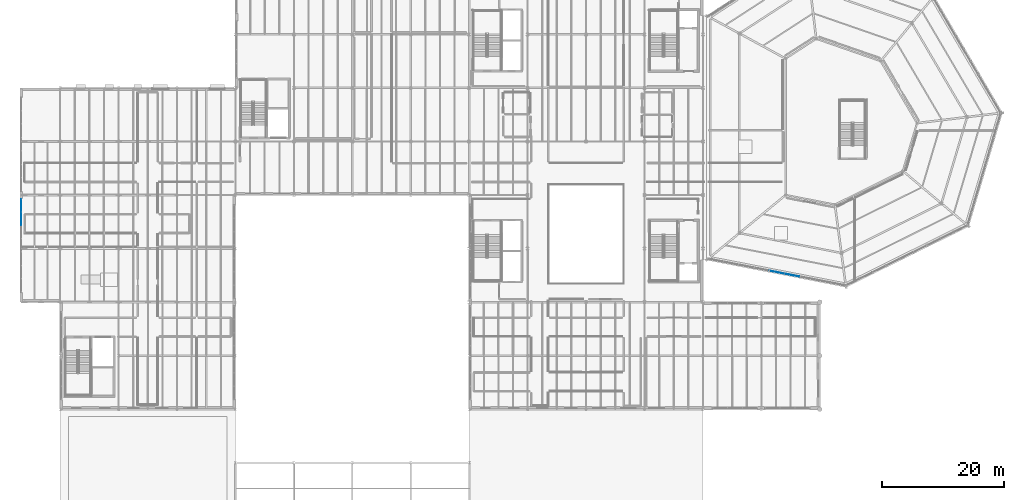
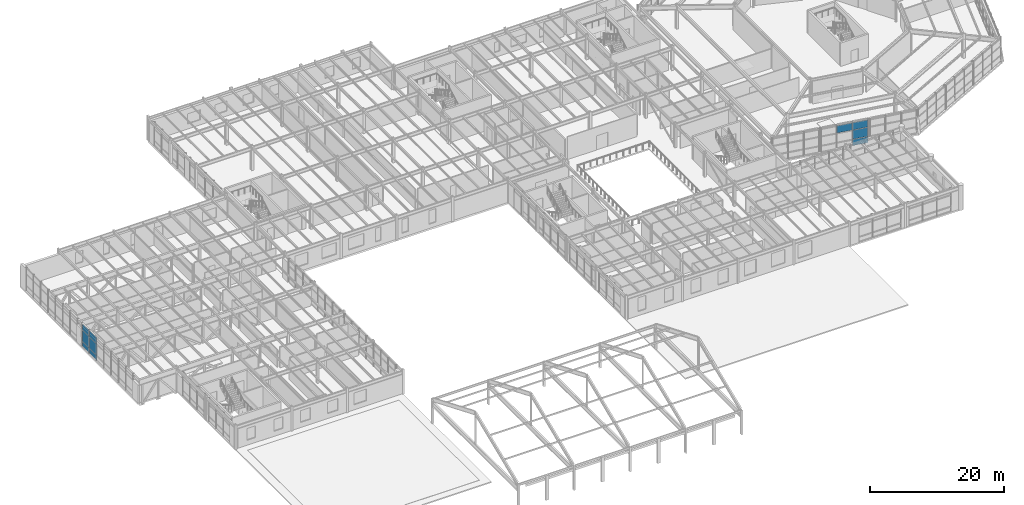
# One storey, part 52 of 88: 10 plates, 2 elements without a shape of their own.
"""IFC4 building model written with IfcOpenShell, lengths in metres."""

from ifc_helpers import new_model, si_unit, direction, frame, origin, origin_2d, place, context, subcontext, project, spatial, rectangle, extrude, material, layer, layer_set, type_object, element, aggregate, save


model = new_model("IFC4")

# Units and contexts
model_context = context("Model", 3, precision=1e-05, world=origin(), true_north=direction((0.0, 1.0)))
body_context = subcontext(model_context, "Body", "Model", "MODEL_VIEW")
ifc_project = project(units=[si_unit("LENGTHUNIT", "METRE"), si_unit("AREAUNIT", "SQUARE_METRE"), si_unit("VOLUMEUNIT", "CUBIC_METRE"), si_unit("PLANEANGLEUNIT", "RADIAN"), si_unit("MASSUNIT", "GRAM", prefix="KILO")], contexts=[model_context])

# Site, building, storey
site_placement = place(None, origin())
site = spatial("IfcSite", under=ifc_project, at=site_placement, CompositionType="ELEMENT")
building_placement = place(site_placement, origin())
building = spatial("IfcBuilding", under=site, at=building_placement, Name="Sarnbrook Museum", CompositionType="ELEMENT")
storey_placement = place(building_placement, frame((0.0, 0.0, 10.10009765625)))
storey = spatial("IfcBuildingStorey", under=building, at=storey_placement, Name="L02", CompositionType="ELEMENT", Elevation=10.10009765625)

# Curtain wall, plates
ifc_material_1 = material(Name="Thermally Broken Anodised Aluminium 6063-T6", Category="aluminium")
curtain_wall_type_1 = type_object("IfcCurtainWallType", Name="CurtainWall_CrystalFacet", PredefinedType="NOTDEFINED", material=ifc_material_1)
curtain_wall_1_placement = place(storey_placement, origin())
curtain_wall_1 = element("IfcCurtainWall", 1, at=curtain_wall_1_placement, inside=storey, type_object=curtain_wall_type_1, Name="Crystal Hall Facet Curtain Wall L02-F1.2", PredefinedType="NOTDEFINED")
ifc_material_2 = material(Name="Double-Glazed Low-Iron Laminated Safety Glass", Category="glass")
ifc_layer_1 = layer(ifc_material_2, 0.031982421875)
ifc_layer_set_1 = layer_set([ifc_layer_1], Name="Double-Glazed Low-Iron Laminated Safety Glass")
plate_type_1 = type_object("IfcPlateType", Name="CW_GlazedPanel_32", PredefinedType="CURTAIN_PANEL", material=ifc_layer_set_1)
plate_1_placement = place(storey_placement, frame((131.3759765625, 61.72265625, 3.544921875), z_axis=(-0.191313464027, -0.981528990138, 0.0), x_axis=(0.981528990138, -0.191313464027, 0.0)))
plate_1 = element("IfcPlate", 2, at=plate_1_placement, type_object=plate_type_1, Name="Crystal Hall Facet Curtain Wall L02-F1.2 Glazed Panel 2-3", PredefinedType="CURTAIN_PANEL", context=body_context, shape_type="SweptSolid", body=[
    extrude(rectangle(XDim=2.4306640625, YDim=1.320068359375, at=origin_2d()), origin(), (0.0, 0.0, 1.0), 0.031982421875),
])
plate_2_placement = place(storey_placement, frame((133.83544921875, 61.243408203125, 2.0), z_axis=(-0.191313464027, -0.981528990138, 0.0), x_axis=(0.981528990138, -0.191313464027, 0.0)))
plate_2 = element("IfcPlate", 3, at=plate_2_placement, type_object=plate_type_1, Name="Crystal Hall Facet Curtain Wall L02-F1.2 Glazed Panel 3-2", PredefinedType="CURTAIN_PANEL", context=body_context, shape_type="SweptSolid", body=[
    extrude(rectangle(XDim=2.4306640625, YDim=1.6298828125, at=origin_2d()), origin(), (0.0, 0.0, 1.0), 0.031982421875),
])
plate_3_placement = place(storey_placement, frame((133.83544921875, 61.243408203125, 3.544921875), z_axis=(-0.191313464027, -0.981528990138, 0.0), x_axis=(0.981528990138, -0.191313464027, 0.0)))
plate_3 = element("IfcPlate", 4, at=plate_3_placement, type_object=plate_type_1, Name="Crystal Hall Facet Curtain Wall L02-F1.2 Glazed Panel 3-3", PredefinedType="CURTAIN_PANEL", context=body_context, shape_type="SweptSolid", body=[
    extrude(rectangle(XDim=2.4306640625, YDim=1.320068359375, at=origin_2d()), origin(), (0.0, 0.0, 1.0), 0.031982421875),
])

curtain_wall_type_2 = type_object("IfcCurtainWallType", Name="CurtainWall_GalleryRibbon", PredefinedType="NOTDEFINED", material=ifc_material_1)
curtain_wall_2_placement = place(storey_placement, origin())
curtain_wall_2 = element("IfcCurtainWall", 5, at=curtain_wall_2_placement, inside=storey, type_object=curtain_wall_type_2, Name="Gallery Ribbon Curtain Wall L02-8.2", PredefinedType="NOTDEFINED")
plate_4_placement = place(storey_placement, frame((7.2177734375, 72.682861328125, 1.949951171875), z_axis=(-1.0, 0.0, 0.0), x_axis=(0.0, -1.0, 0.0)))
plate_4 = element("IfcPlate", 6, at=plate_4_placement, type_object=plate_type_1, Name="Gallery Ribbon Curtain Wall L02-8.2 Glazed Panel 1-2", PredefinedType="CURTAIN_PANEL", context=body_context, shape_type="SweptSolid", body=[
    extrude(rectangle(XDim=2.119384765625, YDim=2.030029296875, at=origin_2d()), origin(), (0.0, 0.0, 1.0), 0.031982421875),
])
plate_5_placement = place(storey_placement, frame((7.2177734375, 72.682861328125, 3.579833984375), z_axis=(-1.0, 0.0, 0.0), x_axis=(0.0, -1.0, 0.0)))
plate_5 = element("IfcPlate", 7, at=plate_5_placement, type_object=plate_type_1, Name="Gallery Ribbon Curtain Wall L02-8.2 Glazed Panel 1-3", PredefinedType="CURTAIN_PANEL", context=body_context, shape_type="SweptSolid", body=[
    extrude(rectangle(XDim=2.119384765625, YDim=1.090087890625, at=origin_2d()), origin(), (0.0, 0.0, 1.0), 0.031982421875),
])
plate_6_placement = place(storey_placement, frame((7.2177734375, 70.488525390625, 1.949951171875), z_axis=(-1.0, 0.0, 0.0), x_axis=(0.0, -1.0, 0.0)))
plate_6 = element("IfcPlate", 8, at=plate_6_placement, type_object=plate_type_1, Name="Gallery Ribbon Curtain Wall L02-8.2 Glazed Panel 2-2", PredefinedType="CURTAIN_PANEL", context=body_context, shape_type="SweptSolid", body=[
    extrude(rectangle(XDim=2.119384765625, YDim=2.030029296875, at=origin_2d()), origin(), (0.0, 0.0, 1.0), 0.031982421875),
])
plate_7_placement = place(storey_placement, frame((7.2177734375, 70.488525390625, 3.579833984375), z_axis=(-1.0, 0.0, 0.0), x_axis=(0.0, -1.0, 0.0)))
plate_7 = element("IfcPlate", 9, at=plate_7_placement, type_object=plate_type_1, Name="Gallery Ribbon Curtain Wall L02-8.2 Glazed Panel 2-3", PredefinedType="CURTAIN_PANEL", context=body_context, shape_type="SweptSolid", body=[
    extrude(rectangle(XDim=2.119384765625, YDim=1.090087890625, at=origin_2d()), origin(), (0.0, 0.0, 1.0), 0.031982421875),
])

# Plate
ifc_material_3 = material(Name="Patinated Architectural Bronze")
ifc_layer_2 = layer(ifc_material_3, 0.044921875)
ifc_layer_set_2 = layer_set([ifc_layer_2], Name="Patinated Architectural Bronze")
plate_type_2 = type_object("IfcPlateType", Name="CW_SpandrelPanel_45", PredefinedType="CURTAIN_PANEL", material=ifc_layer_set_2)
plate_8_placement = place(storey_placement, frame((133.836669921875, 61.249755859375, 0.574951171875), z_axis=(-0.191313464027, -0.981528990138, 0.0), x_axis=(0.981528990138, -0.191313464027, 0.0)))
plate_8 = element("IfcPlate", 10, at=plate_8_placement, type_object=plate_type_2, Name="Crystal Hall Facet Curtain Wall L02-F1.2 Spandrel Panel 3-1", PredefinedType="CURTAIN_PANEL", context=body_context, shape_type="SweptSolid", body=[
    extrude(rectangle(XDim=2.4306640625, YDim=1.080078125, at=origin_2d()), origin(), (0.0, 0.0, 1.0), 0.044921875),
])

aggregate(curtain_wall_1, [plate_1, plate_8, plate_2, plate_3])

plate_9_placement = place(storey_placement, frame((7.224365234375, 72.682861328125, 0.449951171875), z_axis=(-1.0, 0.0, 0.0), x_axis=(0.0, -1.0, 0.0)))
plate_9 = element("IfcPlate", 11, at=plate_9_placement, type_object=plate_type_2, Name="Gallery Ribbon Curtain Wall L02-8.2 Spandrel Panel 1-1", PredefinedType="CURTAIN_PANEL", context=body_context, shape_type="SweptSolid", body=[
    extrude(rectangle(XDim=2.119384765625, YDim=0.830078125, at=origin_2d()), origin(), (0.0, 0.0, 1.0), 0.044921875),
])

plate_10_placement = place(storey_placement, frame((7.224365234375, 70.488525390625, 0.449951171875), z_axis=(-1.0, 0.0, 0.0), x_axis=(0.0, -1.0, 0.0)))
plate_10 = element("IfcPlate", 12, at=plate_10_placement, type_object=plate_type_2, Name="Gallery Ribbon Curtain Wall L02-8.2 Spandrel Panel 2-1", PredefinedType="CURTAIN_PANEL", context=body_context, shape_type="SweptSolid", body=[
    extrude(rectangle(XDim=2.119384765625, YDim=0.830078125, at=origin_2d()), origin(), (0.0, 0.0, 1.0), 0.044921875),
])

aggregate(curtain_wall_2, [plate_9, plate_4, plate_5, plate_10, plate_6, plate_7])

save(model, "model.ifc")
